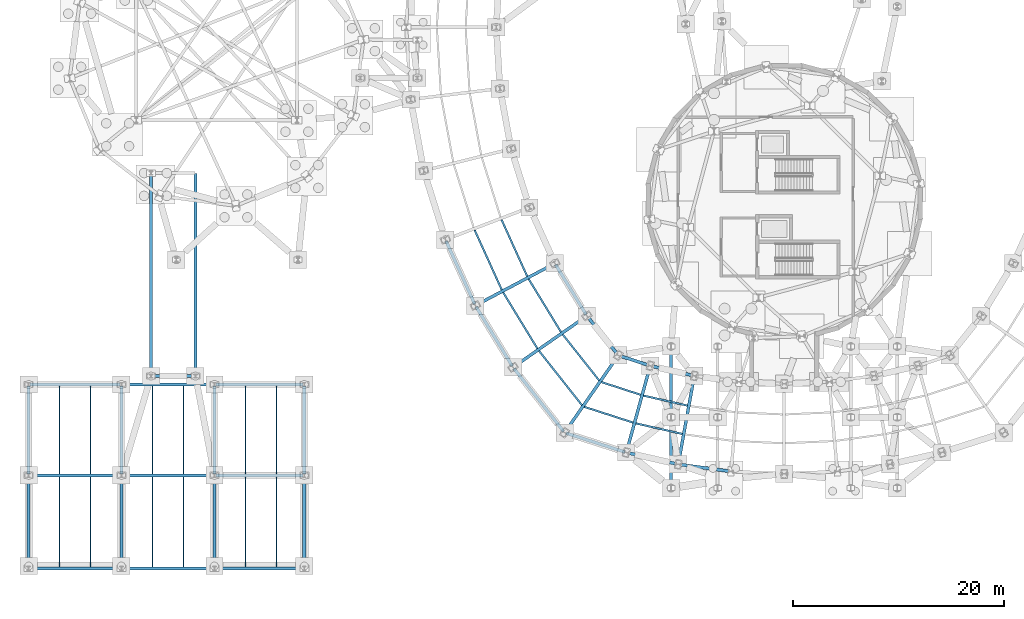
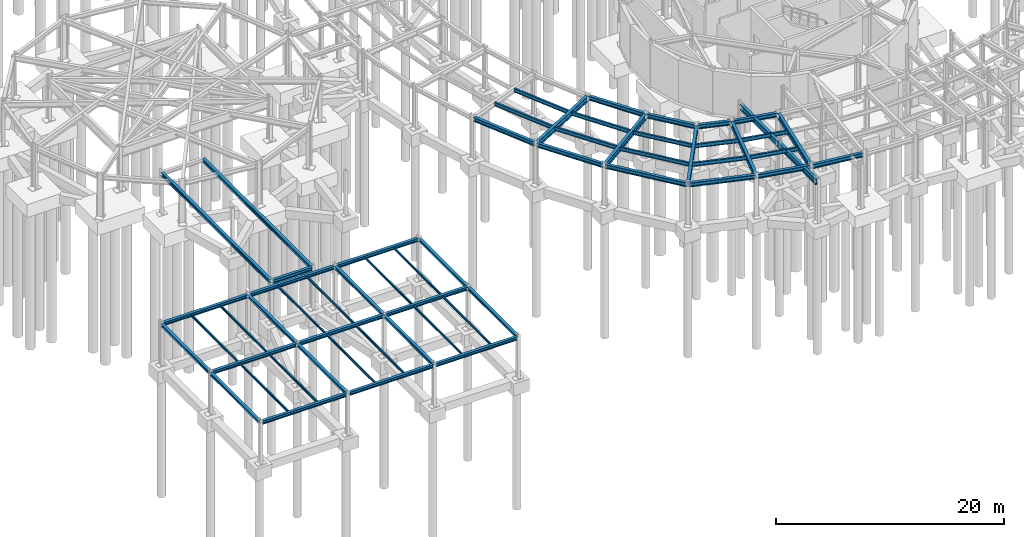
# One storey, part 28 of 50: 59 beams.
"""IFC4 building model written with IfcOpenShell, lengths in metres."""

from ifc_helpers import new_model, si_unit, direction, frame, origin, origin_2d, place, context, subcontext, project, spatial, i_section, extrude, material, material_profile, profile_set, type_object, element, save


model = new_model("IFC4")

# Units and contexts
model_context = context("Model", 3, precision=1e-05, world=origin(), true_north=direction((0.0, 1.0)))
body_context = subcontext(model_context, "Body", "Model", "MODEL_VIEW")
ifc_project = project(units=[si_unit("LENGTHUNIT", "METRE"), si_unit("AREAUNIT", "SQUARE_METRE"), si_unit("VOLUMEUNIT", "CUBIC_METRE"), si_unit("PLANEANGLEUNIT", "RADIAN"), si_unit("MASSUNIT", "GRAM", prefix="KILO")], contexts=[model_context])

# Site, building, storey
site_placement = place(None, origin())
site = spatial("IfcSite", under=ifc_project, at=site_placement, CompositionType="ELEMENT")
building_placement = place(site_placement, origin())
building = spatial("IfcBuilding", under=site, at=building_placement, Name="Varnklinge Art Gallery", CompositionType="ELEMENT")
storey_placement = place(building_placement, frame((0.0, 0.0, -4.800048828125)))
storey = spatial("IfcBuildingStorey", under=building, at=storey_placement, Name="B01", CompositionType="ELEMENT", Elevation=-4.800048828125)

# Beams
ifc_material_1 = material(Name="Steel S355", Category="steel")
ifc_material_profile_1 = material_profile(ifc_material_1, i_section(OverallWidth=0.300048828125, OverallDepth=0.60009765625, WebThickness=0.015380859375, FlangeThickness=0.030029296875, FilletRadius=0.027099609375, at=origin_2d()), Name="HEB 600")
ifc_profile_set_1 = profile_set([ifc_material_profile_1], Name="Steel S355")
beam_type_1 = type_object("IfcBeamType", Name="BM-05", PredefinedType="BEAM", material=ifc_profile_set_1)
for number, where, z_axis, x_axis, name in (
    (1, (64.800048828125, 11.449951171875, 4.25), (0.0, 1.0, 0.0), (-1.0, 0.0, 0.0), "B01 BM-05 BM-CAN-B01A-1"),
    (2, (64.800048828125, 18.14990234375, 4.25), (0.0, 1.0, 0.0), (-1.0, 0.0, 0.0), "B01 BM-05 BM-CAN-B01B-1"),
):
    element("IfcBeam", number, at=place(storey_placement, frame(where, z_axis=z_axis, x_axis=x_axis)), inside=storey, type_object=beam_type_1, Name=name, PredefinedType="BEAM", context=body_context, shape_type="SweptSolid", body=[
        extrude(i_section(OverallWidth=0.300048828125, OverallDepth=0.60009765625, WebThickness=0.015380859375, FlangeThickness=0.030029296875, FilletRadius=0.027099609375, at=origin_2d()), origin(), (0.0, 0.0, 1.0), 6.60009765625),
    ])
ifc_material_2 = material(Name="Steel S355", Category="steel")
ifc_material_profile_2 = material_profile(ifc_material_2, i_section(OverallWidth=0.300048828125, OverallDepth=0.590087890625, WebThickness=0.012939453125, FlangeThickness=0.02490234375, FilletRadius=0.027099609375, at=origin_2d()), Name="HEA 600")
ifc_profile_set_2 = profile_set([ifc_material_profile_2], Name="Steel S355")
beam_type_2 = type_object("IfcBeamType", Name="BM-06", PredefinedType="BEAM", material=ifc_profile_set_2)
beam_1_placement = place(storey_placement, frame((46.407470703125, 28.734619140625, 4.255126953125), z_axis=(0.883713647739, 0.468027978651, 0.0), x_axis=(-0.468027978651, 0.883713647739, 0.0)))
element("IfcBeam", 3, at=beam_1_placement, inside=storey, type_object=beam_type_2, Name="B01 BM-06 BM-V2-L00-R31", PredefinedType="BEAM", context=body_context, shape_type="SweptSolid", body=[
    extrude(i_section(OverallWidth=0.300048828125, OverallDepth=0.590087890625, WebThickness=0.012939453125, FlangeThickness=0.02490234375, FilletRadius=0.027099609375, at=origin_2d()), origin(), (0.0, 0.0, 1.0), 8.237060546875),
])
beam_2_placement = place(storey_placement, frame((49.96484375, 22.9052734375, 4.255126953125), z_axis=(0.820324852304, 0.571897837635, 0.0), x_axis=(-0.571897837635, 0.820324852304, 0.0)))
element("IfcBeam", 4, at=beam_2_placement, inside=storey, type_object=beam_type_2, Name="B01 BM-06 BM-V2-L00-R32", PredefinedType="BEAM", context=body_context, shape_type="SweptSolid", body=[
    extrude(i_section(OverallWidth=0.300048828125, OverallDepth=0.590087890625, WebThickness=0.012939453125, FlangeThickness=0.02490234375, FilletRadius=0.027099609375, at=origin_2d()), origin(), (0.0, 0.0, 1.0), 8.2373046875),
])
beam_3_placement = place(storey_placement, frame((54.80908203125, 16.755126953125, 4.255126953125), z_axis=(0.570588727281, 0.821235961402, 0.0), x_axis=(-0.821235961402, 0.570588727281, 0.0)))
element("IfcBeam", 5, at=beam_3_placement, inside=storey, type_object=beam_type_2, Name="B01 BM-06 BM-V2-L00-R33", PredefinedType="BEAM", context=body_context, shape_type="SweptSolid", body=[
    extrude(i_section(OverallWidth=0.300048828125, OverallDepth=0.590087890625, WebThickness=0.012939453125, FlangeThickness=0.02490234375, FilletRadius=0.027099609375, at=origin_2d()), origin(), (0.0, 0.0, 1.0), 8.6318359375),
])
for number, where, z_axis, x_axis, name in (
    (6, (60.607421875, 14.897705078125, 4.255126953125), (0.26537851046, 0.96414430776, 0.0), (-0.96414430776, 0.26537851046, 0.0), "B01 BM-06 BM-V2-L00-R34"),
    (7, (65.504638671875, 13.78271484375, 4.255126953125), (0.178151776958, 0.984003020507, 0.0), (-0.984003020507, 0.178151776958, 0.0), "B01 BM-06 BM-V2-L00-R35"),
):
    element("IfcBeam", number, at=place(storey_placement, frame(where, z_axis=z_axis, x_axis=x_axis)), inside=storey, type_object=beam_type_2, Name=name, PredefinedType="BEAM", context=body_context, shape_type="SweptSolid", body=[
        extrude(i_section(OverallWidth=0.300048828125, OverallDepth=0.590087890625, WebThickness=0.012939453125, FlangeThickness=0.02490234375, FilletRadius=0.027099609375, at=origin_2d()), origin(), (0.0, 0.0, 1.0), 8.229248046875),
    ])
ifc_material_3 = material(Name="Steel S355", Category="steel")
ifc_material_profile_3 = material_profile(ifc_material_3, i_section(OverallWidth=0.300048828125, OverallDepth=0.43994140625, WebThickness=0.011474609375, FlangeThickness=0.02099609375, FilletRadius=0.027099609375, at=origin_2d()), Name="HEA 450")
ifc_profile_set_3 = profile_set([ifc_material_profile_3], Name="Steel S355")
beam_type_3 = type_object("IfcBeamType", Name="BM-08", PredefinedType="BEAM", material=ifc_profile_set_3)
beam_4_placement = place(storey_placement, frame((43.511474609375, 34.775390625, 4.330078125), z_axis=(0.413377101484, -0.910559922229, 0.0), x_axis=(0.910559922229, 0.413377101484, 0.0)))
element("IfcBeam", 8, at=beam_4_placement, inside=storey, type_object=beam_type_3, Name="B01 BM-08 BM-V2-L00-O30", PredefinedType="BEAM", context=body_context, shape_type="SweptSolid", body=[
    extrude(i_section(OverallWidth=0.300048828125, OverallDepth=0.43994140625, WebThickness=0.011474609375, FlangeThickness=0.02099609375, FilletRadius=0.027099609375, at=origin_2d()), origin(), (0.0, 0.0, 1.0), 6.56640625),
])
beam_5_placement = place(storey_placement, frame((46.356689453125, 28.549560546875, 4.330078125), z_axis=(0.520911485476, -0.853610698327, 0.0), x_axis=(0.853610698327, 0.520911485476, 0.0)))
element("IfcBeam", 9, at=beam_5_placement, inside=storey, type_object=beam_type_3, Name="B01 BM-08 BM-V2-L00-O31", PredefinedType="BEAM", context=body_context, shape_type="SweptSolid", body=[
    extrude(i_section(OverallWidth=0.300048828125, OverallDepth=0.43994140625, WebThickness=0.011474609375, FlangeThickness=0.02099609375, FilletRadius=0.027099609375, at=origin_2d()), origin(), (0.0, 0.0, 1.0), 6.566162109375),
])
beam_6_placement = place(storey_placement, frame((53.88330078125, 32.535888671875, 4.330078125), z_axis=(0.520928443414, -0.853600349603, 0.0), x_axis=(0.853600349603, 0.520928443414, 0.0)))
element("IfcBeam", 10, at=beam_6_placement, inside=storey, type_object=beam_type_3, Name="B01 BM-08 BM-V2-L00-I31", PredefinedType="BEAM", context=body_context, shape_type="SweptSolid", body=[
    extrude(i_section(OverallWidth=0.300048828125, OverallDepth=0.43994140625, WebThickness=0.011474609375, FlangeThickness=0.02099609375, FilletRadius=0.027099609375, at=origin_2d()), origin(), (0.0, 0.0, 1.0), 5.52978515625),
])
beam_7_placement = place(storey_placement, frame((49.936767578125, 22.71533203125, 4.330078125), z_axis=(0.619327516232, -0.785132745233, 0.0), x_axis=(0.785132745233, 0.619327516232, 0.0)))
element("IfcBeam", 11, at=beam_7_placement, inside=storey, type_object=beam_type_3, Name="B01 BM-08 BM-V2-L00-O32", PredefinedType="BEAM", context=body_context, shape_type="SweptSolid", body=[
    extrude(i_section(OverallWidth=0.300048828125, OverallDepth=0.43994140625, WebThickness=0.011474609375, FlangeThickness=0.02099609375, FilletRadius=0.027099609375, at=origin_2d()), origin(), (0.0, 0.0, 1.0), 7.597900390625),
])
beam_8_placement = place(storey_placement, frame((56.924072265625, 27.586669921875, 4.330078125), z_axis=(0.623138348458, -0.782111628018, 0.0), x_axis=(0.782111628018, 0.623138348458, 0.0)))
element("IfcBeam", 12, at=beam_8_placement, inside=storey, type_object=beam_type_3, Name="B01 BM-08 BM-V2-L00-I32", PredefinedType="BEAM", context=body_context, shape_type="SweptSolid", body=[
    extrude(i_section(OverallWidth=0.300048828125, OverallDepth=0.43994140625, WebThickness=0.011474609375, FlangeThickness=0.02099609375, FilletRadius=0.027099609375, at=origin_2d()), origin(), (0.0, 0.0, 1.0), 4.498046875),
])
beam_9_placement = place(storey_placement, frame((54.8623046875, 16.597412109375, 4.330078125), z_axis=(0.952022487869, -0.306028074843, 0.0), x_axis=(0.306028074843, 0.952022487869, 0.0)))
element("IfcBeam", 13, at=beam_9_placement, inside=storey, type_object=beam_type_3, Name="B01 BM-08 BM-V2-L00-O33", PredefinedType="BEAM", context=body_context, shape_type="SweptSolid", body=[
    extrude(i_section(OverallWidth=0.300048828125, OverallDepth=0.43994140625, WebThickness=0.011474609375, FlangeThickness=0.02099609375, FilletRadius=0.027099609375, at=origin_2d()), origin(), (0.0, 0.0, 1.0), 5.855712890625),
])
beam_10_placement = place(storey_placement, frame((59.947265625, 23.915283203125, 4.330078125), z_axis=(0.94984963517, -0.312707004347, 0.0), x_axis=(0.312707004347, 0.94984963517, 0.0)))
element("IfcBeam", 14, at=beam_10_placement, inside=storey, type_object=beam_type_3, Name="B01 BM-08 BM-V2-L00-I33", PredefinedType="BEAM", context=body_context, shape_type="SweptSolid", body=[
    extrude(i_section(OverallWidth=0.300048828125, OverallDepth=0.43994140625, WebThickness=0.011474609375, FlangeThickness=0.02099609375, FilletRadius=0.027099609375, at=origin_2d()), origin(), (0.0, 0.0, 1.0), 2.893310546875),
])
beam_11_placement = place(storey_placement, frame((60.706787109375, 14.7314453125, 4.330078125), z_axis=(0.975056640979, -0.221956182347, 0.0), x_axis=(0.221956182347, 0.975056640979, 0.0)))
element("IfcBeam", 15, at=beam_11_placement, inside=storey, type_object=beam_type_3, Name="B01 BM-08 BM-V2-L00-O34", PredefinedType="BEAM", context=body_context, shape_type="SweptSolid", body=[
    extrude(i_section(OverallWidth=0.300048828125, OverallDepth=0.43994140625, WebThickness=0.011474609375, FlangeThickness=0.02099609375, FilletRadius=0.027099609375, at=origin_2d()), origin(), (0.0, 0.0, 1.0), 4.755126953125),
])
beam_12_placement = place(storey_placement, frame((62.965087890625, 22.935791015625, 4.330078125), z_axis=(0.975053526144, -0.221969865419, 0.0), x_axis=(0.221969865419, 0.975053526144, 0.0)))
element("IfcBeam", 16, at=beam_12_placement, inside=storey, type_object=beam_type_3, Name="B01 BM-08 BM-V2-L00-I34", PredefinedType="BEAM", context=body_context, shape_type="SweptSolid", body=[
    extrude(i_section(OverallWidth=0.300048828125, OverallDepth=0.43994140625, WebThickness=0.011474609375, FlangeThickness=0.02099609375, FilletRadius=0.027099609375, at=origin_2d()), origin(), (0.0, 0.0, 1.0), 3.99365234375),
])
beam_13_placement = place(storey_placement, frame((65.618408203125, 13.626220703125, 4.330078125), z_axis=(0.990995928782, -0.133892005505, 0.0), x_axis=(0.133892005505, 0.990995928782, 0.0)))
element("IfcBeam", 17, at=beam_13_placement, inside=storey, type_object=beam_type_3, Name="B01 BM-08 BM-V2-L00-O35", PredefinedType="BEAM", context=body_context, shape_type="SweptSolid", body=[
    extrude(i_section(OverallWidth=0.300048828125, OverallDepth=0.43994140625, WebThickness=0.011474609375, FlangeThickness=0.02099609375, FilletRadius=0.027099609375, at=origin_2d()), origin(), (0.0, 0.0, 1.0), 4.75537109375),
])
ifc_material_4 = material(Name="Steel S355", Category="steel")
ifc_material_profile_4 = material_profile(ifc_material_4, i_section(OverallWidth=0.300048828125, OverallDepth=0.389892578125, WebThickness=0.010986328125, FlangeThickness=0.01904296875, FilletRadius=0.027099609375, at=origin_2d()), Name="HEA 400")
ifc_profile_set_4 = profile_set([ifc_material_profile_4], Name="Steel S355")
beam_type_4 = type_object("IfcBeamType", Name="BM-09", PredefinedType="BEAM", material=ifc_profile_set_4)
beam_14_placement = place(storey_placement, frame((15.659912109375, 22.0, 4.385009765625), z_axis=(1.0, 0.0, 0.0), x_axis=(0.0, 1.0, 0.0)))
element("IfcBeam", 18, at=beam_14_placement, inside=storey, type_object=beam_type_4, Name="B01 BM-09 BM-LNK-SW-L00-1", PredefinedType="BEAM", context=body_context, shape_type="SweptSolid", body=[
    extrude(i_section(OverallWidth=0.300048828125, OverallDepth=0.389892578125, WebThickness=0.010986328125, FlangeThickness=0.01904296875, FilletRadius=0.027099609375, at=origin_2d()), origin(), (0.0, 0.0, 1.0), 4.080078125),
])
for number, where, z_axis, x_axis, name in (
    (19, (19.800048828125, 22.06005859375, 4.35498046875), (0.0, 1.0, 0.0), (-1.0, 0.0, 0.0), "B01 BM-09 BM-LNK-SW-L00-2"),
    (20, (15.60009765625, 41.139892578125, 4.35498046875), (0.0, -1.0, 0.0), (1.0, 0.0, 0.0), "B01 BM-09 BM-LNK-SW-L00-4"),
):
    element("IfcBeam", number, at=place(storey_placement, frame(where, z_axis=z_axis, x_axis=x_axis)), inside=storey, type_object=beam_type_4, Name=name, PredefinedType="BEAM", context=body_context, shape_type="SweptSolid", body=[
        extrude(i_section(OverallWidth=0.300048828125, OverallDepth=0.389892578125, WebThickness=0.010986328125, FlangeThickness=0.01904296875, FilletRadius=0.027099609375, at=origin_2d()), origin(), (0.0, 0.0, 1.0), 19.079833984375),
    ])
ifc_material_5 = material(Name="Steel S355", Category="steel")
ifc_material_profile_5 = material_profile(ifc_material_5, i_section(OverallWidth=0.300048828125, OverallDepth=0.35009765625, WebThickness=0.010009765625, FlangeThickness=0.017578125, FilletRadius=0.027099609375, at=origin_2d()), Name="HEA 360")
ifc_profile_set_5 = profile_set([ifc_material_profile_5], Name="Steel S355")
beam_type_5 = type_object("IfcBeamType", Name="BM-10", PredefinedType="BEAM", material=ifc_profile_set_5)
for number, where, z_axis, x_axis, name in (
    (21, (4.139892578125, 3.800048828125, 4.375), (1.0, 0.0, 0.0), (0.0, 1.0, 0.0), "B01 BM-10 BM-V6SW-L00-X0-0"),
    (22, (12.93994140625, 3.800048828125, 4.375), (1.0, 0.0, 0.0), (0.0, 1.0, 0.0), "B01 BM-10 BM-V6SW-L00-X0-1"),
):
    element("IfcBeam", number, at=place(storey_placement, frame(where, z_axis=z_axis, x_axis=x_axis)), inside=storey, type_object=beam_type_5, Name=name, PredefinedType="BEAM", context=body_context, shape_type="SweptSolid", body=[
        extrude(i_section(OverallWidth=0.300048828125, OverallDepth=0.35009765625, WebThickness=0.010009765625, FlangeThickness=0.017578125, FilletRadius=0.027099609375, at=origin_2d()), origin(), (0.0, 0.0, 1.0), 8.52001953125),
    ])
beam_15_placement = place(storey_placement, frame((21.739990234375, 3.800048828125, 4.375), z_axis=(1.0, 0.0, 0.0), x_axis=(0.0, 1.0, 0.0)))
element("IfcBeam", 23, at=beam_15_placement, inside=storey, type_object=beam_type_5, Name="B01 BM-10 BM-V6SW-L00-X0-2", PredefinedType="BEAM", context=body_context, shape_type="SweptSolid", body=[
    extrude(i_section(OverallWidth=0.300048828125, OverallDepth=0.35009765625, WebThickness=0.010009765625, FlangeThickness=0.017578125, FilletRadius=0.027099609375, at=origin_2d()), origin(), (0.0, 0.0, 1.0), 8.219970703125),
])
for number, where, z_axis, x_axis, name in (
    (24, (4.139892578125, 12.60009765625, 4.375), (1.0, 0.0, 0.0), (0.0, 1.0, 0.0), "B01 BM-10 BM-V6SW-L00-X1-0"),
    (25, (12.93994140625, 12.60009765625, 4.375), (1.0, 0.0, 0.0), (0.0, 1.0, 0.0), "B01 BM-10 BM-V6SW-L00-X1-1"),
):
    element("IfcBeam", number, at=place(storey_placement, frame(where, z_axis=z_axis, x_axis=x_axis)), inside=storey, type_object=beam_type_5, Name=name, PredefinedType="BEAM", context=body_context, shape_type="SweptSolid", body=[
        extrude(i_section(OverallWidth=0.300048828125, OverallDepth=0.35009765625, WebThickness=0.010009765625, FlangeThickness=0.017578125, FilletRadius=0.027099609375, at=origin_2d()), origin(), (0.0, 0.0, 1.0), 8.52001953125),
    ])
beam_16_placement = place(storey_placement, frame((21.739990234375, 12.60009765625, 4.375), z_axis=(1.0, 0.0, 0.0), x_axis=(0.0, 1.0, 0.0)))
element("IfcBeam", 26, at=beam_16_placement, inside=storey, type_object=beam_type_5, Name="B01 BM-10 BM-V6SW-L00-X1-2", PredefinedType="BEAM", context=body_context, shape_type="SweptSolid", body=[
    extrude(i_section(OverallWidth=0.300048828125, OverallDepth=0.35009765625, WebThickness=0.010009765625, FlangeThickness=0.017578125, FilletRadius=0.027099609375, at=origin_2d()), origin(), (0.0, 0.0, 1.0), 8.219970703125),
])
for number, where, z_axis, x_axis, name in (
    (27, (4.139892578125, 21.199951171875, 4.375), (1.0, 0.0, 0.0), (0.0, 1.0, 0.0), "B01 BM-10 BM-V6SW-L00-X2-0"),
    (28, (12.93994140625, 21.199951171875, 4.375), (1.0, 0.0, 0.0), (0.0, 1.0, 0.0), "B01 BM-10 BM-V6SW-L00-X2-1"),
):
    element("IfcBeam", number, at=place(storey_placement, frame(where, z_axis=z_axis, x_axis=x_axis)), inside=storey, type_object=beam_type_5, Name=name, PredefinedType="BEAM", context=body_context, shape_type="SweptSolid", body=[
        extrude(i_section(OverallWidth=0.300048828125, OverallDepth=0.35009765625, WebThickness=0.010009765625, FlangeThickness=0.017578125, FilletRadius=0.027099609375, at=origin_2d()), origin(), (0.0, 0.0, 1.0), 8.52001953125),
    ])
beam_17_placement = place(storey_placement, frame((21.739990234375, 21.199951171875, 4.375), z_axis=(1.0, 0.0, 0.0), x_axis=(0.0, 1.0, 0.0)))
element("IfcBeam", 29, at=beam_17_placement, inside=storey, type_object=beam_type_5, Name="B01 BM-10 BM-V6SW-L00-X2-2", PredefinedType="BEAM", context=body_context, shape_type="SweptSolid", body=[
    extrude(i_section(OverallWidth=0.300048828125, OverallDepth=0.35009765625, WebThickness=0.010009765625, FlangeThickness=0.017578125, FilletRadius=0.027099609375, at=origin_2d()), origin(), (0.0, 0.0, 1.0), 8.219970703125),
])
ifc_material_6 = material(Name="Steel S355", Category="steel")
ifc_material_profile_6 = material_profile(ifc_material_6, i_section(OverallWidth=0.300048828125, OverallDepth=0.2900390625, WebThickness=0.008544921875, FlangeThickness=0.013916015625, FilletRadius=0.027099609375, at=origin_2d()), Name="HEA 300")
ifc_profile_set_6 = profile_set([ifc_material_profile_6], Name="Steel S355")
beam_type_6 = type_object("IfcBeamType", Name="BM-11", PredefinedType="BEAM", material=ifc_profile_set_6)
beam_18_placement = place(storey_placement, frame((4.0, 3.93994140625, 4.405029296875), z_axis=(0.0, 1.0, 0.0), x_axis=(-1.0, 0.0, 0.0)))
element("IfcBeam", 30, at=beam_18_placement, inside=storey, type_object=beam_type_6, Name="B01 BM-11 BM-V6SW-L00-Y0-0", PredefinedType="BEAM", context=body_context, shape_type="SweptSolid", body=[
    extrude(i_section(OverallWidth=0.300048828125, OverallDepth=0.2900390625, WebThickness=0.008544921875, FlangeThickness=0.013916015625, FilletRadius=0.027099609375, at=origin_2d()), origin(), (0.0, 0.0, 1.0), 8.52001953125),
])
beam_19_placement = place(storey_placement, frame((4.0, 12.739990234375, 4.405029296875), z_axis=(0.0, 1.0, 0.0), x_axis=(-1.0, 0.0, 0.0)))
element("IfcBeam", 31, at=beam_19_placement, inside=storey, type_object=beam_type_6, Name="B01 BM-11 BM-V6SW-L00-Y0-1", PredefinedType="BEAM", context=body_context, shape_type="SweptSolid", body=[
    extrude(i_section(OverallWidth=0.300048828125, OverallDepth=0.2900390625, WebThickness=0.008544921875, FlangeThickness=0.013916015625, FilletRadius=0.027099609375, at=origin_2d()), origin(), (0.0, 0.0, 1.0), 8.320068359375),
])
beam_20_placement = place(storey_placement, frame((12.800048828125, 3.93994140625, 4.405029296875), z_axis=(0.0, 1.0, 0.0), x_axis=(-1.0, 0.0, 0.0)))
element("IfcBeam", 32, at=beam_20_placement, inside=storey, type_object=beam_type_6, Name="B01 BM-11 BM-V6SW-L00-Y1-0", PredefinedType="BEAM", context=body_context, shape_type="SweptSolid", body=[
    extrude(i_section(OverallWidth=0.300048828125, OverallDepth=0.2900390625, WebThickness=0.008544921875, FlangeThickness=0.013916015625, FilletRadius=0.027099609375, at=origin_2d()), origin(), (0.0, 0.0, 1.0), 8.52001953125),
])
beam_21_placement = place(storey_placement, frame((12.800048828125, 12.739990234375, 4.405029296875), z_axis=(0.0, 1.0, 0.0), x_axis=(-1.0, 0.0, 0.0)))
element("IfcBeam", 33, at=beam_21_placement, inside=storey, type_object=beam_type_6, Name="B01 BM-11 BM-V6SW-L00-Y1-1", PredefinedType="BEAM", context=body_context, shape_type="SweptSolid", body=[
    extrude(i_section(OverallWidth=0.300048828125, OverallDepth=0.2900390625, WebThickness=0.008544921875, FlangeThickness=0.013916015625, FilletRadius=0.027099609375, at=origin_2d()), origin(), (0.0, 0.0, 1.0), 8.320068359375),
])
beam_22_placement = place(storey_placement, frame((21.60009765625, 3.93994140625, 4.405029296875), z_axis=(0.0, 1.0, 0.0), x_axis=(-1.0, 0.0, 0.0)))
element("IfcBeam", 34, at=beam_22_placement, inside=storey, type_object=beam_type_6, Name="B01 BM-11 BM-V6SW-L00-Y2-0", PredefinedType="BEAM", context=body_context, shape_type="SweptSolid", body=[
    extrude(i_section(OverallWidth=0.300048828125, OverallDepth=0.2900390625, WebThickness=0.008544921875, FlangeThickness=0.013916015625, FilletRadius=0.027099609375, at=origin_2d()), origin(), (0.0, 0.0, 1.0), 8.52001953125),
])
beam_23_placement = place(storey_placement, frame((21.60009765625, 12.739990234375, 4.405029296875), z_axis=(0.0, 1.0, 0.0), x_axis=(-1.0, 0.0, 0.0)))
element("IfcBeam", 35, at=beam_23_placement, inside=storey, type_object=beam_type_6, Name="B01 BM-11 BM-V6SW-L00-Y2-1", PredefinedType="BEAM", context=body_context, shape_type="SweptSolid", body=[
    extrude(i_section(OverallWidth=0.300048828125, OverallDepth=0.2900390625, WebThickness=0.008544921875, FlangeThickness=0.013916015625, FilletRadius=0.027099609375, at=origin_2d()), origin(), (0.0, 0.0, 1.0), 8.320068359375),
])
beam_24_placement = place(storey_placement, frame((30.10009765625, 3.93994140625, 4.405029296875), z_axis=(0.0, 1.0, 0.0), x_axis=(-1.0, 0.0, 0.0)))
element("IfcBeam", 36, at=beam_24_placement, inside=storey, type_object=beam_type_6, Name="B01 BM-11 BM-V6SW-L00-Y3-0", PredefinedType="BEAM", context=body_context, shape_type="SweptSolid", body=[
    extrude(i_section(OverallWidth=0.300048828125, OverallDepth=0.2900390625, WebThickness=0.008544921875, FlangeThickness=0.013916015625, FilletRadius=0.027099609375, at=origin_2d()), origin(), (0.0, 0.0, 1.0), 8.52001953125),
])
beam_25_placement = place(storey_placement, frame((30.10009765625, 12.739990234375, 4.405029296875), z_axis=(0.0, 1.0, 0.0), x_axis=(-1.0, 0.0, 0.0)))
element("IfcBeam", 37, at=beam_25_placement, inside=storey, type_object=beam_type_6, Name="B01 BM-11 BM-V6SW-L00-Y3-1", PredefinedType="BEAM", context=body_context, shape_type="SweptSolid", body=[
    extrude(i_section(OverallWidth=0.300048828125, OverallDepth=0.2900390625, WebThickness=0.008544921875, FlangeThickness=0.013916015625, FilletRadius=0.027099609375, at=origin_2d()), origin(), (0.0, 0.0, 1.0), 8.320068359375),
])
ifc_material_7 = material(Name="Steel S355", Category="steel")
ifc_material_profile_7 = material_profile(ifc_material_7, i_section(OverallWidth=0.179931640625, OverallDepth=0.39990234375, WebThickness=0.008544921875, FlangeThickness=0.013427734375, FilletRadius=0.02099609375, at=origin_2d()), Name="IPE 400")
ifc_profile_set_7 = profile_set([ifc_material_profile_7], Name="Steel S355")
beam_type_7 = type_object("IfcBeamType", Name="JST-05", PredefinedType="JOIST", material=ifc_profile_set_7)
beam_26_placement = place(storey_placement, frame((46.216064453125, 35.809814453125, 4.35009765625), z_axis=(0.413409198448, -0.910545350127, 0.0), x_axis=(0.910545350127, 0.413409198448, 0.0)))
element("IfcBeam", 38, at=beam_26_placement, inside=storey, type_object=beam_type_7, Name="B01 JST-05 JST-V2-L00-30-1", PredefinedType="JOIST", context=body_context, shape_type="SweptSolid", body=[
    extrude(i_section(OverallWidth=0.179931640625, OverallDepth=0.39990234375, WebThickness=0.008544921875, FlangeThickness=0.013427734375, FilletRadius=0.02099609375, at=origin_2d()), origin(), (0.0, 0.0, 1.0), 6.2138671875),
])
beam_27_placement = place(storey_placement, frame((48.76171875, 36.783447265625, 4.35009765625), z_axis=(0.413430786601, -0.910535548285, 0.0), x_axis=(0.910535548285, 0.413430786601, 0.0)))
element("IfcBeam", 39, at=beam_27_placement, inside=storey, type_object=beam_type_7, Name="B01 JST-05 JST-V2-L00-30-2", PredefinedType="JOIST", context=body_context, shape_type="SweptSolid", body=[
    extrude(i_section(OverallWidth=0.179931640625, OverallDepth=0.39990234375, WebThickness=0.008544921875, FlangeThickness=0.013427734375, FilletRadius=0.02099609375, at=origin_2d()), origin(), (0.0, 0.0, 1.0), 5.88232421875),
])
beam_28_placement = place(storey_placement, frame((48.915771484375, 29.90478515625, 4.35009765625), z_axis=(0.520923848619, -0.853603153661, 0.0), x_axis=(0.853603153661, 0.520923848619, 0.0)))
element("IfcBeam", 40, at=beam_28_placement, inside=storey, type_object=beam_type_7, Name="B01 JST-05 JST-V2-L00-31-1", PredefinedType="JOIST", context=body_context, shape_type="SweptSolid", body=[
    extrude(i_section(OverallWidth=0.179931640625, OverallDepth=0.39990234375, WebThickness=0.008544921875, FlangeThickness=0.013427734375, FilletRadius=0.02099609375, at=origin_2d()), origin(), (0.0, 0.0, 1.0), 6.213623046875),
])
beam_29_placement = place(storey_placement, frame((51.32421875, 31.180419921875, 4.35009765625), z_axis=(0.520951279717, -0.853586412826, 0.0), x_axis=(0.853586412826, 0.520951279717, 0.0)))
element("IfcBeam", 41, at=beam_29_placement, inside=storey, type_object=beam_type_7, Name="B01 JST-05 JST-V2-L00-31-2", PredefinedType="JOIST", context=body_context, shape_type="SweptSolid", body=[
    extrude(i_section(OverallWidth=0.179931640625, OverallDepth=0.39990234375, WebThickness=0.008544921875, FlangeThickness=0.013427734375, FilletRadius=0.02099609375, at=origin_2d()), origin(), (0.0, 0.0, 1.0), 5.8818359375),
])
beam_30_placement = place(storey_placement, frame((52.3125, 24.37158203125, 4.35009765625), z_axis=(0.620207823033, -0.784437541331, 0.0), x_axis=(0.784437541331, 0.620207823033, 0.0)))
element("IfcBeam", 42, at=beam_30_placement, inside=storey, type_object=beam_type_7, Name="B01 JST-05 JST-V2-L00-32-1", PredefinedType="JOIST", context=body_context, shape_type="SweptSolid", body=[
    extrude(i_section(OverallWidth=0.179931640625, OverallDepth=0.39990234375, WebThickness=0.008544921875, FlangeThickness=0.013427734375, FilletRadius=0.02099609375, at=origin_2d()), origin(), (0.0, 0.0, 1.0), 6.5439453125),
])
beam_31_placement = place(storey_placement, frame((54.54833984375, 25.930419921875, 4.35009765625), z_axis=(0.621380748712, -0.783508752427, 0.0), x_axis=(0.783508752427, 0.621380748712, 0.0)))
element("IfcBeam", 43, at=beam_31_placement, inside=storey, type_object=beam_type_7, Name="B01 JST-05 JST-V2-L00-32-2", PredefinedType="JOIST", context=body_context, shape_type="SweptSolid", body=[
    extrude(i_section(OverallWidth=0.179931640625, OverallDepth=0.39990234375, WebThickness=0.008544921875, FlangeThickness=0.013427734375, FilletRadius=0.02099609375, at=origin_2d()), origin(), (0.0, 0.0, 1.0), 5.552001953125),
])
beam_32_placement = place(storey_placement, frame((56.59130859375, 19.085693359375, 4.35009765625), z_axis=(0.951573262441, -0.307422065259, 0.0), x_axis=(0.307422065259, 0.951573262441, 0.0)))
element("IfcBeam", 44, at=beam_32_placement, inside=storey, type_object=beam_type_7, Name="B01 JST-05 JST-V2-L00-33-1", PredefinedType="JOIST", context=body_context, shape_type="SweptSolid", body=[
    extrude(i_section(OverallWidth=0.179931640625, OverallDepth=0.39990234375, WebThickness=0.008544921875, FlangeThickness=0.013427734375, FilletRadius=0.02099609375, at=origin_2d()), origin(), (0.0, 0.0, 1.0), 4.848388671875),
])
beam_33_placement = place(storey_placement, frame((58.218505859375, 21.42724609375, 4.35009765625), z_axis=(0.950949393045, -0.309346491603, 0.0), x_axis=(0.309346491603, 0.950949393045, 0.0)))
element("IfcBeam", 45, at=beam_33_placement, inside=storey, type_object=beam_type_7, Name="B01 JST-05 JST-V2-L00-33-2", PredefinedType="JOIST", context=body_context, shape_type="SweptSolid", body=[
    extrude(i_section(OverallWidth=0.179931640625, OverallDepth=0.39990234375, WebThickness=0.008544921875, FlangeThickness=0.013427734375, FilletRadius=0.02099609375, at=origin_2d()), origin(), (0.0, 0.0, 1.0), 3.900390625),
])
beam_34_placement = place(storey_placement, frame((61.474609375, 17.52099609375, 4.35009765625), z_axis=(0.975052249235, -0.22197547446, 0.0), x_axis=(0.22197547446, 0.975052249235, 0.0)))
element("IfcBeam", 46, at=beam_34_placement, inside=storey, type_object=beam_type_7, Name="B01 JST-05 JST-V2-L00-34-1", PredefinedType="JOIST", context=body_context, shape_type="SweptSolid", body=[
    extrude(i_section(OverallWidth=0.179931640625, OverallDepth=0.39990234375, WebThickness=0.008544921875, FlangeThickness=0.013427734375, FilletRadius=0.02099609375, at=origin_2d()), origin(), (0.0, 0.0, 1.0), 4.49609375),
])
beam_35_placement = place(storey_placement, frame((62.197265625, 20.146240234375, 4.35009765625), z_axis=(0.975058358995, -0.221948634943, 0.0), x_axis=(0.221948634943, 0.975058358995, 0.0)))
element("IfcBeam", 47, at=beam_35_placement, inside=storey, type_object=beam_type_7, Name="B01 JST-05 JST-V2-L00-34-2", PredefinedType="JOIST", context=body_context, shape_type="SweptSolid", body=[
    extrude(i_section(OverallWidth=0.179931640625, OverallDepth=0.39990234375, WebThickness=0.008544921875, FlangeThickness=0.013427734375, FilletRadius=0.02099609375, at=origin_2d()), origin(), (0.0, 0.0, 1.0), 4.25244140625),
])
ifc_material_8 = material(Name="Steel S355", Category="steel")
ifc_material_profile_8 = material_profile(ifc_material_8, i_section(OverallWidth=0.1201171875, OverallDepth=0.239990234375, WebThickness=0.006103515625, FlangeThickness=0.009765625, FilletRadius=0.014892578125, at=origin_2d()), Name="IPE 240")
ifc_profile_set_8 = profile_set([ifc_material_profile_8], Name="Steel S355")
beam_type_8 = type_object("IfcBeamType", Name="JST-10", PredefinedType="JOIST", material=ifc_profile_set_8)
for number, where, z_axis, x_axis, name in (
    (48, (6.929931640625, 3.93994140625, 4.429931640625), (0.0, 1.0, 0.0), (-1.0, 0.0, 0.0), "B01 JST-10 JST-V6SW-L00-0-0-1"),
    (49, (9.860107421875, 3.93994140625, 4.429931640625), (0.0, 1.0, 0.0), (-1.0, 0.0, 0.0), "B01 JST-10 JST-V6SW-L00-0-0-2"),
):
    element("IfcBeam", number, at=place(storey_placement, frame(where, z_axis=z_axis, x_axis=x_axis)), inside=storey, type_object=beam_type_8, Name=name, PredefinedType="JOIST", context=body_context, shape_type="SweptSolid", body=[
        extrude(i_section(OverallWidth=0.1201171875, OverallDepth=0.239990234375, WebThickness=0.006103515625, FlangeThickness=0.009765625, FilletRadius=0.014892578125, at=origin_2d()), origin(), (0.0, 0.0, 1.0), 8.52001953125),
    ])
for number, where, z_axis, x_axis, name in (
    (50, (6.929931640625, 12.739990234375, 4.429931640625), (0.0, 1.0, 0.0), (-1.0, 0.0, 0.0), "B01 JST-10 JST-V6SW-L00-0-1-1"),
    (51, (9.860107421875, 12.739990234375, 4.429931640625), (0.0, 1.0, 0.0), (-1.0, 0.0, 0.0), "B01 JST-10 JST-V6SW-L00-0-1-2"),
):
    element("IfcBeam", number, at=place(storey_placement, frame(where, z_axis=z_axis, x_axis=x_axis)), inside=storey, type_object=beam_type_8, Name=name, PredefinedType="JOIST", context=body_context, shape_type="SweptSolid", body=[
        extrude(i_section(OverallWidth=0.1201171875, OverallDepth=0.239990234375, WebThickness=0.006103515625, FlangeThickness=0.009765625, FilletRadius=0.014892578125, at=origin_2d()), origin(), (0.0, 0.0, 1.0), 8.320068359375),
    ])
for number, where, z_axis, x_axis, name in (
    (52, (15.72998046875, 3.93994140625, 4.429931640625), (0.0, 1.0, 0.0), (-1.0, 0.0, 0.0), "B01 JST-10 JST-V6SW-L00-1-0-1"),
    (53, (18.659912109375, 3.93994140625, 4.429931640625), (0.0, 1.0, 0.0), (-1.0, 0.0, 0.0), "B01 JST-10 JST-V6SW-L00-1-0-2"),
):
    element("IfcBeam", number, at=place(storey_placement, frame(where, z_axis=z_axis, x_axis=x_axis)), inside=storey, type_object=beam_type_8, Name=name, PredefinedType="JOIST", context=body_context, shape_type="SweptSolid", body=[
        extrude(i_section(OverallWidth=0.1201171875, OverallDepth=0.239990234375, WebThickness=0.006103515625, FlangeThickness=0.009765625, FilletRadius=0.014892578125, at=origin_2d()), origin(), (0.0, 0.0, 1.0), 8.52001953125),
    ])
for number, where, z_axis, x_axis, name in (
    (54, (15.72998046875, 12.739990234375, 4.429931640625), (0.0, 1.0, 0.0), (-1.0, 0.0, 0.0), "B01 JST-10 JST-V6SW-L00-1-1-1"),
    (55, (18.659912109375, 12.739990234375, 4.429931640625), (0.0, 1.0, 0.0), (-1.0, 0.0, 0.0), "B01 JST-10 JST-V6SW-L00-1-1-2"),
):
    element("IfcBeam", number, at=place(storey_placement, frame(where, z_axis=z_axis, x_axis=x_axis)), inside=storey, type_object=beam_type_8, Name=name, PredefinedType="JOIST", context=body_context, shape_type="SweptSolid", body=[
        extrude(i_section(OverallWidth=0.1201171875, OverallDepth=0.239990234375, WebThickness=0.006103515625, FlangeThickness=0.009765625, FilletRadius=0.014892578125, at=origin_2d()), origin(), (0.0, 0.0, 1.0), 8.320068359375),
    ])
for number, where, z_axis, x_axis, name in (
    (56, (24.530029296875, 3.93994140625, 4.429931640625), (0.0, 1.0, 0.0), (-1.0, 0.0, 0.0), "B01 JST-10 JST-V6SW-L00-2-0-1"),
    (57, (27.4599609375, 3.93994140625, 4.429931640625), (0.0, 1.0, 0.0), (-1.0, 0.0, 0.0), "B01 JST-10 JST-V6SW-L00-2-0-2"),
):
    element("IfcBeam", number, at=place(storey_placement, frame(where, z_axis=z_axis, x_axis=x_axis)), inside=storey, type_object=beam_type_8, Name=name, PredefinedType="JOIST", context=body_context, shape_type="SweptSolid", body=[
        extrude(i_section(OverallWidth=0.1201171875, OverallDepth=0.239990234375, WebThickness=0.006103515625, FlangeThickness=0.009765625, FilletRadius=0.014892578125, at=origin_2d()), origin(), (0.0, 0.0, 1.0), 8.52001953125),
    ])
for number, where, z_axis, x_axis, name in (
    (58, (24.530029296875, 12.739990234375, 4.429931640625), (0.0, 1.0, 0.0), (-1.0, 0.0, 0.0), "B01 JST-10 JST-V6SW-L00-2-1-1"),
    (59, (27.4599609375, 12.739990234375, 4.429931640625), (0.0, 1.0, 0.0), (-1.0, 0.0, 0.0), "B01 JST-10 JST-V6SW-L00-2-1-2"),
):
    element("IfcBeam", number, at=place(storey_placement, frame(where, z_axis=z_axis, x_axis=x_axis)), inside=storey, type_object=beam_type_8, Name=name, PredefinedType="JOIST", context=body_context, shape_type="SweptSolid", body=[
        extrude(i_section(OverallWidth=0.1201171875, OverallDepth=0.239990234375, WebThickness=0.006103515625, FlangeThickness=0.009765625, FilletRadius=0.014892578125, at=origin_2d()), origin(), (0.0, 0.0, 1.0), 8.320068359375),
    ])

save(model, "model.ifc")
